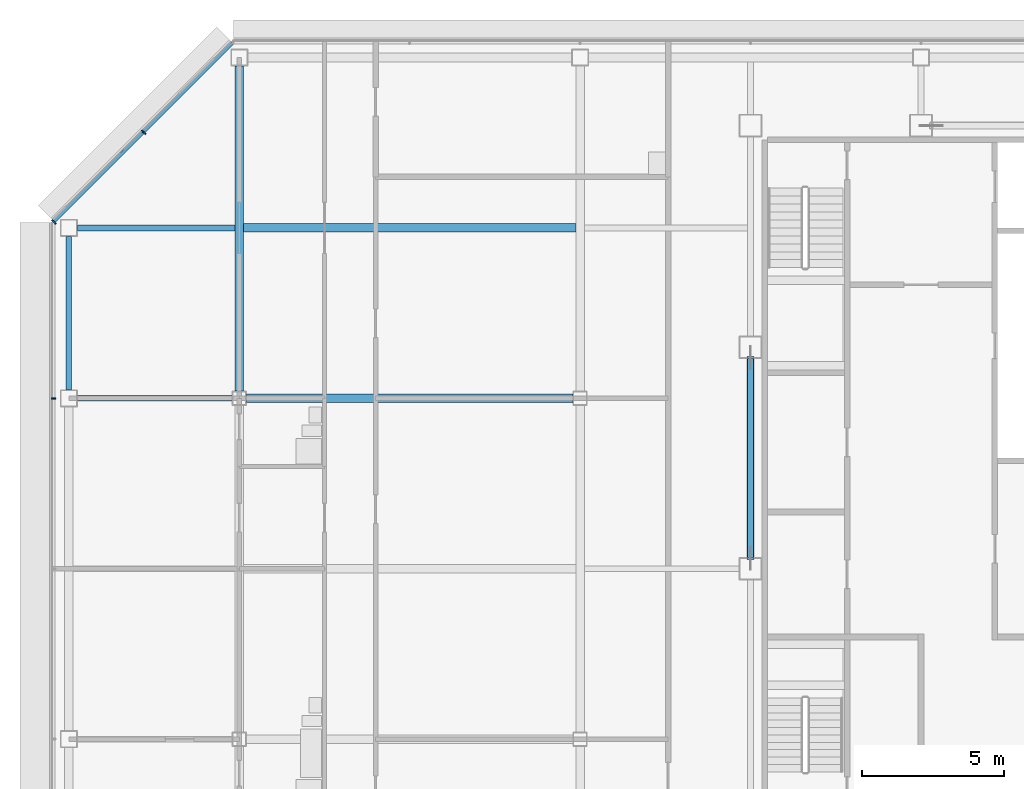
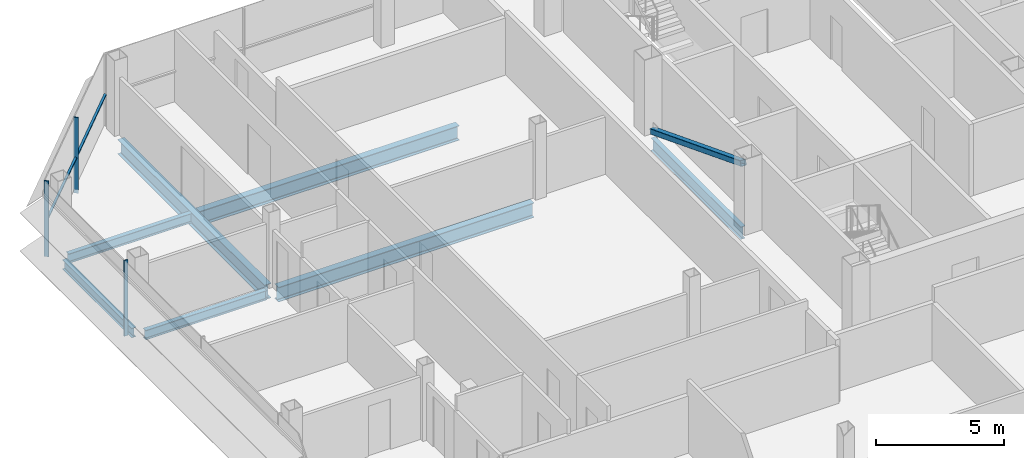
# One storey, part 12 of 27: 7 beams, 5 members, 2 elements without a shape of their own.
"""IFC4 building model written with IfcOpenShell, lengths in metres."""

from ifc_helpers import new_model, si_unit, direction, frame, origin, origin_2d, place, context, subcontext, project, spatial, rectangle, hollow_rectangle, i_section, extrude, material, material_profile, profile_set, type_object, element, aggregate, save


model = new_model("IFC4")

# Units and contexts
model_context = context("Model", 3, precision=1e-05, world=origin(), true_north=direction((0.0, 1.0)))
body_context = subcontext(model_context, "Body", "Model", "MODEL_VIEW")
ifc_project = project(units=[si_unit("LENGTHUNIT", "METRE"), si_unit("AREAUNIT", "SQUARE_METRE"), si_unit("VOLUMEUNIT", "CUBIC_METRE"), si_unit("PLANEANGLEUNIT", "RADIAN"), si_unit("MASSUNIT", "GRAM", prefix="KILO")], contexts=[model_context])

# Site, building, storey
site_placement = place(None, origin())
site = spatial("IfcSite", under=ifc_project, at=site_placement, CompositionType="ELEMENT")
building_placement = place(site_placement, origin())
building = spatial("IfcBuilding", under=site, at=building_placement, Name="Sorahane Residences", CompositionType="ELEMENT")
storey_placement = place(building_placement, frame((0.0, 0.0, 294.39990234375)))
storey = spatial("IfcBuildingStorey", under=building, at=storey_placement, Name="L69", CompositionType="ELEMENT", Elevation=294.39990234375)

# Member
ifc_material_1 = material(Name="Steel Q355B", Category="steel")
ifc_material_profile_1 = material_profile(ifc_material_1, hollow_rectangle(XDim=0.25, YDim=0.25, WallThickness=0.013916015625, InnerFilletRadius=0.007080078125, OuterFilletRadius=0.02099609375, at=origin_2d()), Name="RHS 250x250x14")
ifc_profile_set_1 = profile_set([ifc_material_profile_1], Name="Steel Q355B")
member_type_1 = type_object("IfcMemberType", Name="Core brace RHS 250x250x14 Q355B", PredefinedType="BRACE", material=ifc_profile_set_1)
member_1_placement = place(storey_placement, frame((6.0, 37.42724609375, 0.114501953125), z_axis=(0.0, -0.932102104456, 0.362195619617), x_axis=(1.0, 0.0, 0.0)))
element("IfcMember", 1, at=member_1_placement, inside=storey, type_object=member_type_1, Name="Core brace L69 x6-2", PredefinedType="BRACE", context=body_context, shape_type="SweptSolid", body=[
    extrude(hollow_rectangle(XDim=0.25, YDim=0.25, WallThickness=0.013916015625, InnerFilletRadius=0.007080078125, OuterFilletRadius=0.02099609375, at=origin_2d()), origin(), (0.0, 0.0, 1.0), 7.568359375),
])

# Curtain wall, member
ifc_material_2 = material(Name="Dark low-e glass and black anodised aluminium", Category="aluminium")
curtain_wall_type_1 = type_object("IfcCurtainWallType", Name="Curtain wall CW-1 Typical unitised wall", PredefinedType="NOTDEFINED", material=ifc_material_2)
curtain_wall_1_placement = place(storey_placement, origin())
curtain_wall_1 = element("IfcCurtainWall", 2, at=curtain_wall_1_placement, inside=storey, type_object=curtain_wall_type_1, Name="CW-1 curtain wall L69 W1", PredefinedType="NOTDEFINED")
ifc_material_3 = material(Name="Black anodised aluminium", Category="aluminium")
ifc_material_profile_2 = material_profile(ifc_material_3, rectangle(XDim=0.159912109375, YDim=0.050048828125, at=origin_2d()), Name="Curtain wall mullion CW-1 black anodised aluminium 50x160")
ifc_profile_set_2 = profile_set([ifc_material_profile_2], Name="Black anodised aluminium")
member_type_2 = type_object("IfcMemberType", Name="Curtain wall mullion CW-1 black anodised aluminium 50x160", PredefinedType="MULLION", material=ifc_profile_set_2)
member_2_placement = place(storey_placement, frame((-18.5400390625, 36.0, -0.179931640625), z_axis=(0.0, 0.0, 1.0), x_axis=(-1.0, 0.0, 0.0)))
member_2 = element("IfcMember", 3, at=member_2_placement, type_object=member_type_2, Name="CW-1 mullion L69 W1.2", PredefinedType="MULLION", context=body_context, shape_type="SweptSolid", body=[
    extrude(rectangle(XDim=0.159912109375, YDim=0.050048828125, at=origin_2d()), origin(), (0.0, 0.0, 1.0), 3.60009765625),
])
aggregate(curtain_wall_1, [member_2])

# Curtain wall, members
ifc_material_4 = material(Name="Dark low-e glass and black anodised aluminium", Category="aluminium")
curtain_wall_type_2 = type_object("IfcCurtainWallType", Name="Curtain wall CW-2 Chamfer unitised wall", PredefinedType="NOTDEFINED", material=ifc_material_4)
curtain_wall_2_placement = place(storey_placement, origin())
curtain_wall_2 = element("IfcCurtainWall", 4, at=curtain_wall_2_placement, inside=storey, type_object=curtain_wall_type_2, Name="CW-2 curtain wall L69 NW1", PredefinedType="NOTDEFINED")
ifc_material_5 = material(Name="Black anodised aluminium", Category="aluminium")
ifc_material_profile_3 = material_profile(ifc_material_5, rectangle(XDim=0.199951171875, YDim=0.050048828125, at=origin_2d()), Name="Curtain wall mullion CW-2 black anodised aluminium 50x200")
ifc_profile_set_3 = profile_set([ifc_material_profile_3], Name="Black anodised aluminium")
member_type_3 = type_object("IfcMemberType", Name="Curtain wall mullion CW-2 black anodised aluminium 50x200", PredefinedType="MULLION", material=ifc_profile_set_3)
member_3_placement = place(storey_placement, frame((-15.36767578125, 45.36767578125, -0.179931640625), z_axis=(0.0, 0.0, 1.0), x_axis=(-0.707106781187, 0.707106781187, 0.0)))
member_3 = element("IfcMember", 5, at=member_3_placement, type_object=member_type_3, Name="CW-2 mullion L69 NW1.2", PredefinedType="MULLION", context=body_context, shape_type="SweptSolid", body=[
    extrude(rectangle(XDim=0.199951171875, YDim=0.050048828125, at=origin_2d()), origin(), (0.0, 0.0, 1.0), 3.60009765625),
])
member_4_placement = place(storey_placement, frame((-18.525634765625, 42.209716796875, -0.179931640625), z_axis=(0.0, 0.0, 1.0), x_axis=(-0.707106781187, 0.707106781187, 0.0)))
member_4 = element("IfcMember", 6, at=member_4_placement, type_object=member_type_3, Name="CW-2 mullion L69 NW1.3", PredefinedType="MULLION", context=body_context, shape_type="SweptSolid", body=[
    extrude(rectangle(XDim=0.199951171875, YDim=0.050048828125, at=origin_2d()), origin(), (0.0, 0.0, 1.0), 3.60009765625),
])
ifc_material_6 = material(Name="Black anodised aluminium", Category="aluminium")
ifc_material_profile_4 = material_profile(ifc_material_6, rectangle(XDim=0.10009765625, YDim=0.06005859375, at=origin_2d()), Name="Curtain wall transom CW-2 black anodised aluminium 60x100")
ifc_profile_set_4 = profile_set([ifc_material_profile_4], Name="Black anodised aluminium")
member_type_4 = type_object("IfcMemberType", Name="Curtain wall transom CW-2 black anodised aluminium 60x100", PredefinedType="USERDEFINED", material=ifc_profile_set_4)
member_5_placement = place(storey_placement, frame((-12.234375, 48.51513671875, 1.5), z_axis=(-0.707106781187, -0.707106781187, 0.0), x_axis=(0.707106781187, -0.707106781187, 0.0)))
member_5 = element("IfcMember", 7, at=member_5_placement, type_object=member_type_4, Name="CW-2 transom L69 NW1", ObjectType="TRANSOM", PredefinedType="USERDEFINED", context=body_context, shape_type="SweptSolid", body=[
    extrude(rectangle(XDim=0.10009765625, YDim=0.06005859375, at=origin_2d()), origin(), (0.0, 0.0, 1.0), 8.88232421875),
])
aggregate(curtain_wall_2, [member_3, member_4, member_5])

# Beams
ifc_material_7 = material(Name="Steel Q355B", Category="steel")
ifc_material_profile_5 = material_profile(ifc_material_7, i_section(OverallWidth=0.199951171875, OverallDepth=0.449951171875, WebThickness=0.009033203125, FlangeThickness=0.013916015625, FilletRadius=0.02001953125, at=origin_2d()), Name="HN 450x200x9x14")
ifc_profile_set_5 = profile_set([ifc_material_profile_5], Name="Steel Q355B")
beam_type_1 = type_object("IfcBeamType", Name="Steel floor beam HN 450x200x9x14 Q355B", PredefinedType="BEAM", material=ifc_profile_set_5)
beam_1_placement = place(storey_placement, frame((-17.699951171875, 36.0, -0.40478515625), z_axis=(1.0, 0.0, 0.0), x_axis=(0.0, 1.0, 0.0)))
element("IfcBeam", 8, at=beam_1_placement, inside=storey, type_object=beam_type_1, Name="Beam L69 013", PredefinedType="BEAM", context=body_context, shape_type="SweptSolid", body=[
    extrude(i_section(OverallWidth=0.199951171875, OverallDepth=0.449951171875, WebThickness=0.009033203125, FlangeThickness=0.013916015625, FilletRadius=0.02001953125, at=origin_2d()), origin(), (0.0, 0.0, 1.0), 5.449951171875),
])
beam_2_placement = place(storey_placement, frame((-18.0, 36.300048828125, -0.40478515625), z_axis=(0.0, 1.0, 0.0), x_axis=(-1.0, 0.0, 0.0)))
element("IfcBeam", 9, at=beam_2_placement, inside=storey, type_object=beam_type_1, Name="Beam L69 023", PredefinedType="BEAM", context=body_context, shape_type="SweptSolid", body=[
    extrude(i_section(OverallWidth=0.199951171875, OverallDepth=0.449951171875, WebThickness=0.009033203125, FlangeThickness=0.013916015625, FilletRadius=0.02001953125, at=origin_2d()), origin(), (0.0, 0.0, 1.0), 5.39990234375),
])
beam_3_placement = place(storey_placement, frame((-17.699951171875, 42.0, -0.40478515625), z_axis=(1.0, 0.0, 0.0), x_axis=(0.0, 1.0, 0.0)))
element("IfcBeam", 10, at=beam_3_placement, inside=storey, type_object=beam_type_1, Name="Beam L69 087", PredefinedType="BEAM", context=body_context, shape_type="SweptSolid", body=[
    extrude(i_section(OverallWidth=0.199951171875, OverallDepth=0.449951171875, WebThickness=0.009033203125, FlangeThickness=0.013916015625, FilletRadius=0.02001953125, at=origin_2d()), origin(), (0.0, 0.0, 1.0), 5.550048828125),
])
ifc_material_8 = material(Name="Steel Q355B", Category="steel")
ifc_material_profile_6 = material_profile(ifc_material_8, i_section(OverallWidth=0.199951171875, OverallDepth=0.60009765625, WebThickness=0.010986328125, FlangeThickness=0.01708984375, FilletRadius=0.02392578125, at=origin_2d()), Name="HN 600x200x11x17")
ifc_profile_set_6 = profile_set([ifc_material_profile_6], Name="Steel Q355B")
beam_type_2 = type_object("IfcBeamType", Name="Steel floor beam HN 600x200x11x17 Q355B", PredefinedType="BEAM", material=ifc_profile_set_6)
beam_4_placement = place(storey_placement, frame((6.0, 30.39990234375, -0.47998046875), z_axis=(0.0, 1.0, 0.0), x_axis=(-1.0, 0.0, 0.0)))
element("IfcBeam", 11, at=beam_4_placement, inside=storey, type_object=beam_type_2, Name="Beam L69 035", PredefinedType="BEAM", context=body_context, shape_type="SweptSolid", body=[
    extrude(i_section(OverallWidth=0.199951171875, OverallDepth=0.60009765625, WebThickness=0.010986328125, FlangeThickness=0.01708984375, FilletRadius=0.02392578125, at=origin_2d()), origin(), (0.0, 0.0, 1.0), 7.0),
])
ifc_material_9 = material(Name="Steel Q355B", Category="steel")
ifc_material_profile_7 = material_profile(ifc_material_9, i_section(OverallWidth=0.300048828125, OverallDepth=0.699951171875, WebThickness=0.012939453125, FlangeThickness=0.02392578125, FilletRadius=0.028076171875, at=origin_2d()), Name="HN 700x300x13x24")
ifc_profile_set_7 = profile_set([ifc_material_profile_7], Name="Steel Q355B")
beam_type_3 = type_object("IfcBeamType", Name="Steel floor beam HN 700x300x13x24 Q355B", PredefinedType="BEAM", material=ifc_profile_set_7)
beam_5_placement = place(storey_placement, frame((-11.75, 36.0, -0.52978515625), z_axis=(1.0, 0.0, 0.0), x_axis=(0.0, 1.0, 0.0)))
element("IfcBeam", 12, at=beam_5_placement, inside=storey, type_object=beam_type_3, Name="Beam L69 014", PredefinedType="BEAM", context=body_context, shape_type="SweptSolid", body=[
    extrude(i_section(OverallWidth=0.300048828125, OverallDepth=0.699951171875, WebThickness=0.012939453125, FlangeThickness=0.02392578125, FilletRadius=0.028076171875, at=origin_2d()), origin(), (0.0, 0.0, 1.0), 11.5),
])
beam_6_placement = place(storey_placement, frame((-12.0, 36.25, -0.52978515625), z_axis=(0.0, 1.0, 0.0), x_axis=(-1.0, 0.0, 0.0)))
element("IfcBeam", 13, at=beam_6_placement, inside=storey, type_object=beam_type_3, Name="Beam L69 027", PredefinedType="BEAM", context=body_context, shape_type="SweptSolid", body=[
    extrude(i_section(OverallWidth=0.300048828125, OverallDepth=0.699951171875, WebThickness=0.012939453125, FlangeThickness=0.02392578125, FilletRadius=0.028076171875, at=origin_2d()), origin(), (0.0, 0.0, 1.0), 11.449951171875),
])
beam_7_placement = place(storey_placement, frame((-11.85009765625, 42.0, -0.52978515625), z_axis=(1.0, 0.0, 0.0), x_axis=(0.0, 1.0, 0.0)))
element("IfcBeam", 14, at=beam_7_placement, inside=storey, type_object=beam_type_3, Name="Beam L69 088", PredefinedType="BEAM", context=body_context, shape_type="SweptSolid", body=[
    extrude(i_section(OverallWidth=0.300048828125, OverallDepth=0.699951171875, WebThickness=0.012939453125, FlangeThickness=0.02392578125, FilletRadius=0.028076171875, at=origin_2d()), origin(), (0.0, 0.0, 1.0), 11.7001953125),
])

save(model, "model.ifc")
